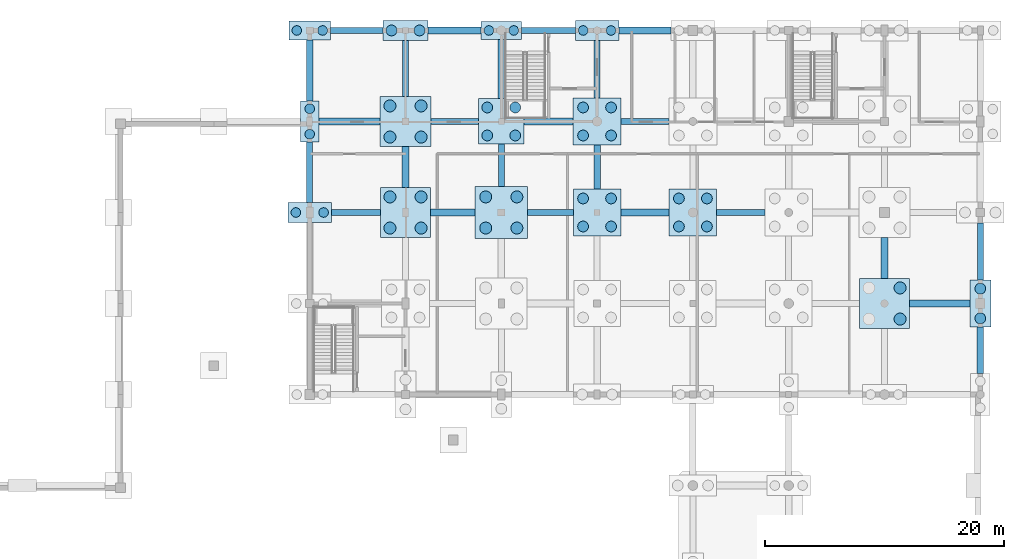
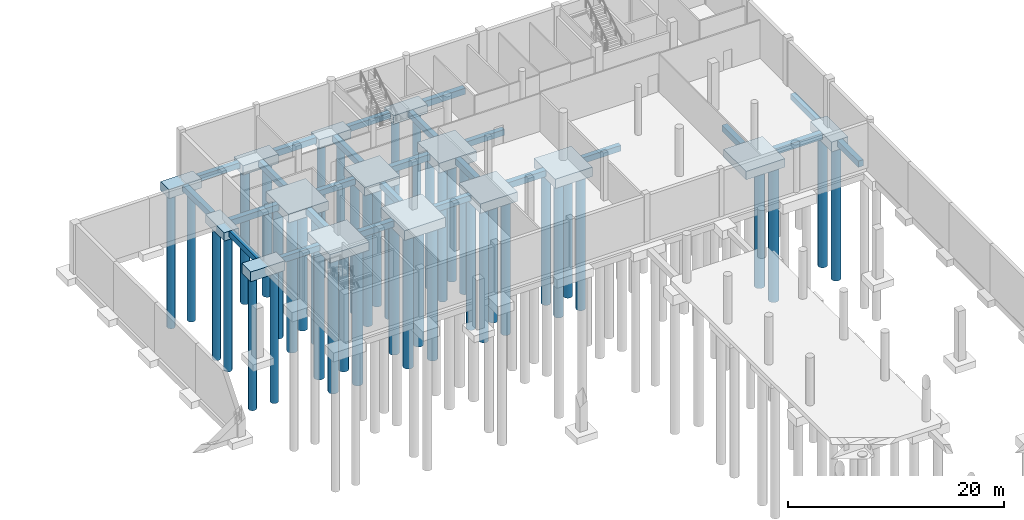
# One storey, part 16 of 44: 44 piles, 40 footings.
"""IFC4 building model written with IfcOpenShell, lengths in metres."""

from ifc_helpers import new_model, si_unit, direction, frame, origin, origin_2d, place, context, subcontext, project, spatial, polyline, circle, outline, extrude, material, material_profile, profile_set, type_object, element, save


model = new_model("IFC4")

# Units and contexts
model_context = context("Model", 3, precision=1e-05, world=origin(), true_north=direction((0.0, 1.0)))
body_context = subcontext(model_context, "Body", "Model", "MODEL_VIEW")
ifc_project = project(units=[si_unit("LENGTHUNIT", "METRE"), si_unit("AREAUNIT", "SQUARE_METRE"), si_unit("VOLUMEUNIT", "CUBIC_METRE"), si_unit("PLANEANGLEUNIT", "RADIAN"), si_unit("MASSUNIT", "GRAM", prefix="KILO")], contexts=[model_context])

# Site, building, storey
site_placement = place(None, origin())
site = spatial("IfcSite", under=ifc_project, at=site_placement, CompositionType="ELEMENT")
building_placement = place(site_placement, origin())
building = spatial("IfcBuilding", under=site, at=building_placement, Name="Khelvaren Railside Concert Hall", CompositionType="ELEMENT")
storey_placement = place(building_placement, frame((0.0, 0.0, -5.39990234375)))
storey = spatial("IfcBuildingStorey", under=building, at=storey_placement, Name="B1", CompositionType="ELEMENT", Elevation=-5.39990234375)

# Piles
ifc_material = material(Name="Concrete C35/45", Category="concrete")
ifc_material_profile_1 = material_profile(ifc_material, circle(Radius=0.449951171875, at=origin_2d()), Name="BP D900")
ifc_profile_set_1 = profile_set([ifc_material_profile_1], Name="Concrete C35/45")
pile_type_1 = type_object("IfcPileType", Name="BP51", PredefinedType="BORED", material=ifc_profile_set_1)
for number, where, z_axis, x_axis, name in (
    (1, (134.830078125, 114.0, -1.4501953125), (0.0, 0.0, -1.0), (1.0, 0.0, 0.0), "Bored Pile BP51 PC-V5-158-1"),
    (2, (137.169921875, 114.0, -1.4501953125), (0.0, 0.0, -1.0), (1.0, 0.0, 0.0), "Bored Pile BP51 PC-V5-158-2"),
):
    element("IfcPile", number, at=place(storey_placement, frame(where, z_axis=z_axis, x_axis=x_axis)), inside=storey, type_object=pile_type_1, Name=name, PredefinedType="BORED", context=body_context, shape_type="SweptSolid", body=[
        extrude(circle(Radius=0.449951171875, at=origin_2d()), origin(), (0.0, 0.0, 1.0), 15.14990234375),
    ])
for number, where, z_axis, x_axis, name in (
    (3, (142.830078125, 105.22998046875, -1.35009765625), (0.0, 0.0, -1.0), (1.0, 0.0, 0.0), "Bored Pile BP51 PC-V5-168-1"),
    (4, (145.169921875, 105.22998046875, -1.35009765625), (0.0, 0.0, -1.0), (1.0, 0.0, 0.0), "Bored Pile BP51 PC-V5-168-2"),
    (5, (142.830078125, 107.570068359375, -1.35009765625), (0.0, 0.0, -1.0), (1.0, 0.0, 0.0), "Bored Pile BP51 PC-V5-168-3"),
    (6, (145.169921875, 107.570068359375, -1.35009765625), (0.0, 0.0, -1.0), (1.0, 0.0, 0.0), "Bored Pile BP51 PC-V5-168-4"),
):
    element("IfcPile", number, at=place(storey_placement, frame(where, z_axis=z_axis, x_axis=x_axis)), inside=storey, type_object=pile_type_1, Name=name, PredefinedType="BORED", context=body_context, shape_type="SweptSolid", body=[
        extrude(circle(Radius=0.449951171875, at=origin_2d()), origin(), (0.0, 0.0, 1.0), 15.25),
    ])
for number, where, z_axis, x_axis, name in (
    (7, (150.830078125, 97.6298828125, -1.4501953125), (0.0, 0.0, -1.0), (1.0, 0.0, 0.0), "Bored Pile BP51 PC-V5-178-1"),
    (8, (153.169921875, 97.6298828125, -1.4501953125), (0.0, 0.0, -1.0), (1.0, 0.0, 0.0), "Bored Pile BP51 PC-V5-178-2"),
    (9, (150.830078125, 99.969970703125, -1.4501953125), (0.0, 0.0, -1.0), (1.0, 0.0, 0.0), "Bored Pile BP51 PC-V5-178-3"),
    (10, (153.169921875, 99.969970703125, -1.4501953125), (0.0, 0.0, -1.0), (1.0, 0.0, 0.0), "Bored Pile BP51 PC-V5-178-4"),
):
    element("IfcPile", number, at=place(storey_placement, frame(where, z_axis=z_axis, x_axis=x_axis)), inside=storey, type_object=pile_type_1, Name=name, PredefinedType="BORED", context=body_context, shape_type="SweptSolid", body=[
        extrude(circle(Radius=0.449951171875, at=origin_2d()), origin(), (0.0, 0.0, 1.0), 15.14990234375),
    ])
for number, where, z_axis, x_axis, name in (
    (11, (150.830078125, 105.22998046875, -1.5), (0.0, 0.0, -1.0), (1.0, 0.0, 0.0), "Bored Pile BP51 PC-V5-179-1"),
    (12, (153.169921875, 105.22998046875, -1.5), (0.0, 0.0, -1.0), (1.0, 0.0, 0.0), "Bored Pile BP51 PC-V5-179-2"),
    (13, (150.830078125, 107.570068359375, -1.5), (0.0, 0.0, -1.0), (1.0, 0.0, 0.0), "Bored Pile BP51 PC-V5-179-3"),
    (14, (153.169921875, 107.570068359375, -1.5), (0.0, 0.0, -1.0), (1.0, 0.0, 0.0), "Bored Pile BP51 PC-V5-179-4"),
):
    element("IfcPile", number, at=place(storey_placement, frame(where, z_axis=z_axis, x_axis=x_axis)), inside=storey, type_object=pile_type_1, Name=name, PredefinedType="BORED", context=body_context, shape_type="SweptSolid", body=[
        extrude(circle(Radius=0.449951171875, at=origin_2d()), origin(), (0.0, 0.0, 1.0), 15.10009765625),
    ])
for number, where, z_axis, x_axis, name in (
    (15, (158.830078125, 97.6298828125, -1.4501953125), (0.0, 0.0, -1.0), (1.0, 0.0, 0.0), "Bored Pile BP51 PC-V5-194-1"),
    (16, (161.169921875, 97.6298828125, -1.4501953125), (0.0, 0.0, -1.0), (1.0, 0.0, 0.0), "Bored Pile BP51 PC-V5-194-2"),
    (17, (158.830078125, 99.969970703125, -1.4501953125), (0.0, 0.0, -1.0), (1.0, 0.0, 0.0), "Bored Pile BP51 PC-V5-194-3"),
    (18, (161.169921875, 99.969970703125, -1.4501953125), (0.0, 0.0, -1.0), (1.0, 0.0, 0.0), "Bored Pile BP51 PC-V5-194-4"),
):
    element("IfcPile", number, at=place(storey_placement, frame(where, z_axis=z_axis, x_axis=x_axis)), inside=storey, type_object=pile_type_1, Name=name, PredefinedType="BORED", context=body_context, shape_type="SweptSolid", body=[
        extrude(circle(Radius=0.449951171875, at=origin_2d()), origin(), (0.0, 0.0, 1.0), 15.14990234375),
    ])
for number, where, z_axis, x_axis, name in (
    (19, (184.0, 89.9599609375, -1.5), (0.0, 0.0, -1.0), (1.0, 0.0, 0.0), "Bored Pile BP51 PC-V5-231-1"),
    (20, (184.0, 92.43994140625, -1.5), (0.0, 0.0, -1.0), (1.0, 0.0, 0.0), "Bored Pile BP51 PC-V5-231-2"),
):
    element("IfcPile", number, at=place(storey_placement, frame(where, z_axis=z_axis, x_axis=x_axis)), inside=storey, type_object=pile_type_1, Name=name, PredefinedType="BORED", context=body_context, shape_type="SweptSolid", body=[
        extrude(circle(Radius=0.449951171875, at=origin_2d()), origin(), (0.0, 0.0, 1.0), 15.10009765625),
    ])
ifc_material_profile_2 = material_profile(ifc_material, circle(Radius=0.39990234375, at=origin_2d()), Name="BP D800")
ifc_profile_set_2 = profile_set([ifc_material_profile_2], Name="Concrete C35/45")
pile_type_2 = type_object("IfcPileType", Name="BP84", PredefinedType="BORED", material=ifc_profile_set_2)
for number, where, z_axis, x_axis, name in (
    (21, (126.840087890625, 98.800048828125, -1.5), (0.0, 0.0, -1.0), (1.0, 0.0, 0.0), "Bored Pile BP84 PC-V5-147-1"),
    (22, (129.159912109375, 98.800048828125, -1.5), (0.0, 0.0, -1.0), (1.0, 0.0, 0.0), "Bored Pile BP84 PC-V5-147-2"),
):
    element("IfcPile", number, at=place(storey_placement, frame(where, z_axis=z_axis, x_axis=x_axis)), inside=storey, type_object=pile_type_2, Name=name, PredefinedType="BORED", context=body_context, shape_type="SweptSolid", body=[
        extrude(circle(Radius=0.39990234375, at=origin_2d()), origin(), (0.0, 0.0, 1.0), 15.10009765625),
    ])
for number, where, z_axis, x_axis, name in (
    (23, (128.0, 105.340087890625, -1.35009765625), (0.0, 0.0, -1.0), (1.0, 0.0, 0.0), "Bored Pile BP84 PC-V5-148-1"),
    (24, (128.0, 107.4599609375, -1.35009765625), (0.0, 0.0, -1.0), (1.0, 0.0, 0.0), "Bored Pile BP84 PC-V5-148-2"),
):
    element("IfcPile", number, at=place(storey_placement, frame(where, z_axis=z_axis, x_axis=x_axis)), inside=storey, type_object=pile_type_2, Name=name, PredefinedType="BORED", context=body_context, shape_type="SweptSolid", body=[
        extrude(circle(Radius=0.39990234375, at=origin_2d()), origin(), (0.0, 0.0, 1.0), 15.25),
    ])
for number, where, z_axis, x_axis, name in (
    (25, (126.919921875, 114.0, -1.400146484375), (0.0, 0.0, -1.0), (1.0, 0.0, 0.0), "Bored Pile BP84 PC-V5-149-1"),
    (26, (129.080078125, 114.0, -1.400146484375), (0.0, 0.0, -1.0), (1.0, 0.0, 0.0), "Bored Pile BP84 PC-V5-149-2"),
    (27, (142.9599609375, 114.0, -1.400146484375), (0.0, 0.0, -1.0), (1.0, 0.0, 0.0), "Bored Pile BP84 PC-V5-169-1"),
    (28, (145.0400390625, 114.0, -1.400146484375), (0.0, 0.0, -1.0), (1.0, 0.0, 0.0), "Bored Pile BP84 PC-V5-169-2"),
):
    element("IfcPile", number, at=place(storey_placement, frame(where, z_axis=z_axis, x_axis=x_axis)), inside=storey, type_object=pile_type_2, Name=name, PredefinedType="BORED", context=body_context, shape_type="SweptSolid", body=[
        extrude(circle(Radius=0.39990234375, at=origin_2d()), origin(), (0.0, 0.0, 1.0), 15.199951171875),
    ])
for number, where, z_axis, x_axis, name in (
    (29, (150.840087890625, 114.0, -1.35009765625), (0.0, 0.0, -1.0), (1.0, 0.0, 0.0), "Bored Pile BP84 PC-V5-180-1"),
    (30, (153.159912109375, 114.0, -1.35009765625), (0.0, 0.0, -1.0), (1.0, 0.0, 0.0), "Bored Pile BP84 PC-V5-180-2"),
):
    element("IfcPile", number, at=place(storey_placement, frame(where, z_axis=z_axis, x_axis=x_axis)), inside=storey, type_object=pile_type_2, Name=name, PredefinedType="BORED", context=body_context, shape_type="SweptSolid", body=[
        extrude(circle(Radius=0.39990234375, at=origin_2d()), origin(), (0.0, 0.0, 1.0), 15.25),
    ])
ifc_material_profile_3 = material_profile(ifc_material, circle(Radius=0.5, at=origin_2d()), Name="BP D1000")
ifc_profile_set_3 = profile_set([ifc_material_profile_3], Name="Concrete C35/45")
pile_type_3 = type_object("IfcPileType", Name="BP88", PredefinedType="BORED", material=ifc_profile_set_3)
for number, where, z_axis, x_axis, name in (
    (31, (134.699951171875, 97.5, -1.35009765625), (0.0, 0.0, -1.0), (1.0, 0.0, 0.0), "Bored Pile BP88 PC-V5-156-1"),
    (32, (137.300048828125, 97.5, -1.35009765625), (0.0, 0.0, -1.0), (1.0, 0.0, 0.0), "Bored Pile BP88 PC-V5-156-2"),
    (33, (134.699951171875, 100.10009765625, -1.35009765625), (0.0, 0.0, -1.0), (1.0, 0.0, 0.0), "Bored Pile BP88 PC-V5-156-3"),
    (34, (137.300048828125, 100.10009765625, -1.35009765625), (0.0, 0.0, -1.0), (1.0, 0.0, 0.0), "Bored Pile BP88 PC-V5-156-4"),
):
    element("IfcPile", number, at=place(storey_placement, frame(where, z_axis=z_axis, x_axis=x_axis)), inside=storey, type_object=pile_type_3, Name=name, PredefinedType="BORED", context=body_context, shape_type="SweptSolid", body=[
        extrude(circle(Radius=0.5, at=origin_2d()), origin(), (0.0, 0.0, 1.0), 15.25),
    ])
for number, where, z_axis, x_axis, name in (
    (35, (134.699951171875, 105.10009765625, -1.400146484375), (0.0, 0.0, -1.0), (1.0, 0.0, 0.0), "Bored Pile BP88 PC-V5-157-1"),
    (36, (137.300048828125, 105.10009765625, -1.400146484375), (0.0, 0.0, -1.0), (1.0, 0.0, 0.0), "Bored Pile BP88 PC-V5-157-2"),
    (37, (134.699951171875, 107.699951171875, -1.400146484375), (0.0, 0.0, -1.0), (1.0, 0.0, 0.0), "Bored Pile BP88 PC-V5-157-3"),
    (38, (137.300048828125, 107.699951171875, -1.400146484375), (0.0, 0.0, -1.0), (1.0, 0.0, 0.0), "Bored Pile BP88 PC-V5-157-4"),
):
    element("IfcPile", number, at=place(storey_placement, frame(where, z_axis=z_axis, x_axis=x_axis)), inside=storey, type_object=pile_type_3, Name=name, PredefinedType="BORED", context=body_context, shape_type="SweptSolid", body=[
        extrude(circle(Radius=0.5, at=origin_2d()), origin(), (0.0, 0.0, 1.0), 15.199951171875),
    ])
for number, where, z_axis, x_axis, name in (
    (39, (142.699951171875, 97.5, -1.5), (0.0, 0.0, -1.0), (1.0, 0.0, 0.0), "Bored Pile BP88 PC-V5-167-1"),
    (40, (145.300048828125, 97.5, -1.5), (0.0, 0.0, -1.0), (1.0, 0.0, 0.0), "Bored Pile BP88 PC-V5-167-2"),
    (41, (142.699951171875, 100.10009765625, -1.5), (0.0, 0.0, -1.0), (1.0, 0.0, 0.0), "Bored Pile BP88 PC-V5-167-3"),
    (42, (145.300048828125, 100.10009765625, -1.5), (0.0, 0.0, -1.0), (1.0, 0.0, 0.0), "Bored Pile BP88 PC-V5-167-4"),
):
    element("IfcPile", number, at=place(storey_placement, frame(where, z_axis=z_axis, x_axis=x_axis)), inside=storey, type_object=pile_type_3, Name=name, PredefinedType="BORED", context=body_context, shape_type="SweptSolid", body=[
        extrude(circle(Radius=0.5, at=origin_2d()), origin(), (0.0, 0.0, 1.0), 15.10009765625),
    ])
for number, where, z_axis, x_axis, name in (
    (43, (177.300048828125, 89.89990234375, -1.35009765625), (0.0, 0.0, -1.0), (1.0, 0.0, 0.0), "Bored Pile BP88 PC-V5-220-2"),
    (44, (177.300048828125, 92.5, -1.35009765625), (0.0, 0.0, -1.0), (1.0, 0.0, 0.0), "Bored Pile BP88 PC-V5-220-4"),
):
    element("IfcPile", number, at=place(storey_placement, frame(where, z_axis=z_axis, x_axis=x_axis)), inside=storey, type_object=pile_type_3, Name=name, PredefinedType="BORED", context=body_context, shape_type="SweptSolid", body=[
        extrude(circle(Radius=0.5, at=origin_2d()), origin(), (0.0, 0.0, 1.0), 15.25),
    ])

# Footings
footing_type_1 = type_object("IfcFootingType", Name="GB49", PredefinedType="FOOTING_BEAM", material=ifc_material)
footing_1_placement = place(storey_placement, frame((0.0, 0.0, -1.150146484375)))
element("IfcFooting", 45, at=footing_1_placement, inside=storey, type_object=footing_type_1, Name="Ground Tie Beam GB49 175", PredefinedType="FOOTING_BEAM", context=body_context, shape_type="SweptSolid", body=[
    extrude(outline(polyline([(129.820068359375, 98.550048828125), (133.919921875, 98.550048828125), (133.919921875, 99.050048828125), (129.820068359375, 99.050048828125), (129.820068359375, 98.550048828125)])), origin(), (0.0, 0.0, 1.0), 0.650146484375),
])
footing_2_placement = place(storey_placement, frame((0.0, 0.0, -1.150146484375)))
element("IfcFooting", 46, at=footing_2_placement, inside=storey, type_object=footing_type_1, Name="Ground Tie Beam GB49 177", PredefinedType="FOOTING_BEAM", context=body_context, shape_type="SweptSolid", body=[
    extrude(outline(polyline([(146.199951171875, 98.550048828125), (150.02001953125, 98.550048828125), (150.02001953125, 99.050048828125), (146.199951171875, 99.050048828125), (146.199951171875, 98.550048828125)])), origin(), (0.0, 0.0, 1.0), 0.650146484375),
])
footing_3_placement = place(storey_placement, frame((0.0, 0.0, -1.150146484375)))
element("IfcFooting", 47, at=footing_3_placement, inside=storey, type_object=footing_type_1, Name="Ground Tie Beam GB49 179", PredefinedType="FOOTING_BEAM", context=body_context, shape_type="SweptSolid", body=[
    extrude(outline(polyline([(161.97998046875, 98.550048828125), (166.02001953125, 98.550048828125), (166.02001953125, 99.050048828125), (161.97998046875, 99.050048828125), (161.97998046875, 98.550048828125)])), origin(), (0.0, 0.0, 1.0), 0.650146484375),
])
footing_4_placement = place(storey_placement, frame((0.0, 0.0, -1.150146484375)))
element("IfcFooting", 48, at=footing_4_placement, inside=storey, type_object=footing_type_1, Name="Ground Tie Beam GB49 189", PredefinedType="FOOTING_BEAM", context=body_context, shape_type="SweptSolid", body=[
    extrude(outline(polyline([(138.1201171875, 106.14990234375), (142.10009765625, 106.14990234375), (142.10009765625, 106.64990234375), (138.1201171875, 106.64990234375), (138.1201171875, 106.14990234375)])), origin(), (0.0, 0.0, 1.0), 0.650146484375),
])
footing_5_placement = place(storey_placement, frame((0.0, 0.0, -1.150146484375)))
element("IfcFooting", 49, at=footing_5_placement, inside=storey, type_object=footing_type_1, Name="Ground Tie Beam GB49 191", PredefinedType="FOOTING_BEAM", context=body_context, shape_type="SweptSolid", body=[
    extrude(outline(polyline([(154.0, 106.14990234375), (158.0, 106.14990234375), (158.0, 106.64990234375), (154.0, 106.64990234375), (154.0, 106.14990234375)])), origin(), (0.0, 0.0, 1.0), 0.650146484375),
])
footing_6_placement = place(storey_placement, frame((0.0, 0.0, -1.150146484375)))
element("IfcFooting", 50, at=footing_6_placement, inside=storey, type_object=footing_type_1, Name="Ground Tie Beam GB49 201", PredefinedType="FOOTING_BEAM", context=body_context, shape_type="SweptSolid", body=[
    extrude(outline(polyline([(129.739990234375, 113.75), (134.1201171875, 113.75), (134.1201171875, 114.25), (129.739990234375, 114.25), (129.739990234375, 113.75)])), origin(), (0.0, 0.0, 1.0), 0.650146484375),
])
footing_7_placement = place(storey_placement, frame((0.0, 0.0, -1.150146484375)))
element("IfcFooting", 51, at=footing_7_placement, inside=storey, type_object=footing_type_1, Name="Ground Tie Beam GB49 203", PredefinedType="FOOTING_BEAM", context=body_context, shape_type="SweptSolid", body=[
    extrude(outline(polyline([(145.699951171875, 113.75), (150.179931640625, 113.75), (150.179931640625, 114.25), (145.699951171875, 114.25), (145.699951171875, 113.75)])), origin(), (0.0, 0.0, 1.0), 0.650146484375),
])
footing_8_placement = place(storey_placement, frame((0.0, 0.0, -1.150146484375)))
element("IfcFooting", 52, at=footing_8_placement, inside=storey, type_object=footing_type_1, Name="Ground Tie Beam GB49 333", PredefinedType="FOOTING_BEAM", context=body_context, shape_type="SweptSolid", body=[
    extrude(outline(polyline([(127.75, 99.625), (128.25, 99.625), (128.25, 104.679931640625), (127.75, 104.679931640625), (127.75, 99.625)])), origin(), (0.0, 0.0, 1.0), 0.650146484375),
])
footing_9_placement = place(storey_placement, frame((0.0, 0.0, -1.150146484375)))
element("IfcFooting", 53, at=footing_9_placement, inside=storey, type_object=footing_type_1, Name="Ground Tie Beam GB49 341", PredefinedType="FOOTING_BEAM", context=body_context, shape_type="SweptSolid", body=[
    extrude(outline(polyline([(135.75, 108.5), (136.25, 108.5), (136.25, 113.14990234375), (135.75, 113.14990234375), (135.75, 108.5)])), origin(), (0.0, 0.0, 1.0), 0.650146484375),
])
footing_10_placement = place(storey_placement, frame((0.0, 0.0, -1.150146484375)))
element("IfcFooting", 54, at=footing_10_placement, inside=storey, type_object=footing_type_1, Name="Ground Tie Beam GB49 349", PredefinedType="FOOTING_BEAM", context=body_context, shape_type="SweptSolid", body=[
    extrude(outline(polyline([(143.75, 100.97998046875), (144.25, 100.97998046875), (144.25, 104.5), (143.75, 104.5), (143.75, 100.97998046875)])), origin(), (0.0, 0.0, 1.0), 0.650146484375),
])
footing_11_placement = place(storey_placement, frame((0.0, 0.0, -1.150146484375)))
element("IfcFooting", 55, at=footing_11_placement, inside=storey, type_object=footing_type_1, Name="Ground Tie Beam GB49 359", PredefinedType="FOOTING_BEAM", context=body_context, shape_type="SweptSolid", body=[
    extrude(outline(polyline([(151.75, 108.3798828125), (152.25, 108.3798828125), (152.25, 113.175048828125), (151.75, 113.175048828125), (151.75, 108.3798828125)])), origin(), (0.0, 0.0, 1.0), 0.650146484375),
])
footing_12_placement = place(storey_placement, frame((0.0, 0.0, -1.150146484375)))
element("IfcFooting", 56, at=footing_12_placement, inside=storey, type_object=footing_type_1, Name="Ground Tie Beam GB49 405", PredefinedType="FOOTING_BEAM", context=body_context, shape_type="SweptSolid", body=[
    extrude(outline(polyline([(183.75, 93.14990234375), (184.25, 93.14990234375), (184.25, 97.925048828125), (183.75, 97.925048828125), (183.75, 93.14990234375)])), origin(), (0.0, 0.0, 1.0), 0.650146484375),
])
footing_type_2 = type_object("IfcFootingType", Name="GB57", PredefinedType="FOOTING_BEAM", material=ifc_material)
footing_13_placement = place(storey_placement, frame((0.0, 0.0, -1.2001953125)))
element("IfcFooting", 57, at=footing_13_placement, inside=storey, type_object=footing_type_2, Name="Ground Tie Beam GB57 168", PredefinedType="FOOTING_BEAM", context=body_context, shape_type="SweptSolid", body=[
    extrude(outline(polyline([(178.080078125, 90.925048828125), (183.125, 90.925048828125), (183.125, 91.47509765625), (178.080078125, 91.47509765625), (178.080078125, 90.925048828125)])), origin(), (0.0, 0.0, 1.0), 0.7001953125),
])
footing_14_placement = place(storey_placement, frame((0.0, 0.0, -1.2001953125)))
element("IfcFooting", 58, at=footing_14_placement, inside=storey, type_object=footing_type_2, Name="Ground Tie Beam GB57 176", PredefinedType="FOOTING_BEAM", context=body_context, shape_type="SweptSolid", body=[
    extrude(outline(polyline([(138.080078125, 98.52490234375), (141.800048828125, 98.52490234375), (141.800048828125, 99.074951171875), (138.080078125, 99.074951171875), (138.080078125, 98.52490234375)])), origin(), (0.0, 0.0, 1.0), 0.7001953125),
])
footing_15_placement = place(storey_placement, frame((0.0, 0.0, -1.2001953125)))
element("IfcFooting", 59, at=footing_15_placement, inside=storey, type_object=footing_type_2, Name="Ground Tie Beam GB57 178", PredefinedType="FOOTING_BEAM", context=body_context, shape_type="SweptSolid", body=[
    extrude(outline(polyline([(153.97998046875, 98.52490234375), (158.02001953125, 98.52490234375), (158.02001953125, 99.074951171875), (153.97998046875, 99.074951171875), (153.97998046875, 98.52490234375)])), origin(), (0.0, 0.0, 1.0), 0.7001953125),
])
footing_16_placement = place(storey_placement, frame((0.0, 0.0, -1.2001953125)))
element("IfcFooting", 60, at=footing_16_placement, inside=storey, type_object=footing_type_2, Name="Ground Tie Beam GB57 188", PredefinedType="FOOTING_BEAM", context=body_context, shape_type="SweptSolid", body=[
    extrude(outline(polyline([(128.77490234375, 106.125), (133.8798828125, 106.125), (133.8798828125, 106.675048828125), (128.77490234375, 106.675048828125), (128.77490234375, 106.125)])), origin(), (0.0, 0.0, 1.0), 0.7001953125),
])
footing_17_placement = place(storey_placement, frame((0.0, 0.0, -1.2001953125)))
element("IfcFooting", 61, at=footing_17_placement, inside=storey, type_object=footing_type_2, Name="Ground Tie Beam GB57 190", PredefinedType="FOOTING_BEAM", context=body_context, shape_type="SweptSolid", body=[
    extrude(outline(polyline([(145.89990234375, 106.125), (150.0, 106.125), (150.0, 106.675048828125), (145.89990234375, 106.675048828125), (145.89990234375, 106.125)])), origin(), (0.0, 0.0, 1.0), 0.7001953125),
])
footing_18_placement = place(storey_placement, frame((0.0, 0.0, -1.2001953125)))
element("IfcFooting", 62, at=footing_18_placement, inside=storey, type_object=footing_type_2, Name="Ground Tie Beam GB57 202", PredefinedType="FOOTING_BEAM", context=body_context, shape_type="SweptSolid", body=[
    extrude(outline(polyline([(137.8798828125, 113.72509765625), (142.300048828125, 113.72509765625), (142.300048828125, 114.27490234375), (137.8798828125, 114.27490234375), (137.8798828125, 113.72509765625)])), origin(), (0.0, 0.0, 1.0), 0.7001953125),
])
footing_19_placement = place(storey_placement, frame((0.0, 0.0, -1.2001953125)))
element("IfcFooting", 63, at=footing_19_placement, inside=storey, type_object=footing_type_2, Name="Ground Tie Beam GB57 204", PredefinedType="FOOTING_BEAM", context=body_context, shape_type="SweptSolid", body=[
    extrude(outline(polyline([(153.820068359375, 113.72509765625), (158.179931640625, 113.72509765625), (158.179931640625, 114.27490234375), (153.820068359375, 114.27490234375), (153.820068359375, 113.72509765625)])), origin(), (0.0, 0.0, 1.0), 0.7001953125),
])
footing_20_placement = place(storey_placement, frame((0.0, 0.0, -1.2001953125)))
element("IfcFooting", 64, at=footing_20_placement, inside=storey, type_object=footing_type_2, Name="Ground Tie Beam GB57 334", PredefinedType="FOOTING_BEAM", context=body_context, shape_type="SweptSolid", body=[
    extrude(outline(polyline([(127.72509765625, 108.1201171875), (128.27490234375, 108.1201171875), (128.27490234375, 113.22509765625), (127.72509765625, 113.22509765625), (127.72509765625, 108.1201171875)])), origin(), (0.0, 0.0, 1.0), 0.7001953125),
])
footing_21_placement = place(storey_placement, frame((0.0, 0.0, -1.2001953125)))
element("IfcFooting", 65, at=footing_21_placement, inside=storey, type_object=footing_type_2, Name="Ground Tie Beam GB57 340", PredefinedType="FOOTING_BEAM", context=body_context, shape_type="SweptSolid", body=[
    extrude(outline(polyline([(135.72509765625, 100.8798828125), (136.27490234375, 100.8798828125), (136.27490234375, 104.300048828125), (135.72509765625, 104.300048828125), (135.72509765625, 100.8798828125)])), origin(), (0.0, 0.0, 1.0), 0.7001953125),
])
footing_22_placement = place(storey_placement, frame((0.0, 0.0, -1.2001953125)))
element("IfcFooting", 66, at=footing_22_placement, inside=storey, type_object=footing_type_2, Name="Ground Tie Beam GB57 350", PredefinedType="FOOTING_BEAM", context=body_context, shape_type="SweptSolid", body=[
    extrude(outline(polyline([(143.72509765625, 108.300048828125), (144.27490234375, 108.300048828125), (144.27490234375, 113.25), (143.72509765625, 113.25), (143.72509765625, 108.300048828125)])), origin(), (0.0, 0.0, 1.0), 0.7001953125),
])
footing_23_placement = place(storey_placement, frame((0.0, 0.0, -1.2001953125)))
element("IfcFooting", 67, at=footing_23_placement, inside=storey, type_object=footing_type_2, Name="Ground Tie Beam GB57 358", PredefinedType="FOOTING_BEAM", context=body_context, shape_type="SweptSolid", body=[
    extrude(outline(polyline([(151.72509765625, 100.760009765625), (152.27490234375, 100.760009765625), (152.27490234375, 104.419921875), (151.72509765625, 104.419921875), (151.72509765625, 100.760009765625)])), origin(), (0.0, 0.0, 1.0), 0.7001953125),
])
footing_24_placement = place(storey_placement, frame((0.0, 0.0, -1.2001953125)))
element("IfcFooting", 68, at=footing_24_placement, inside=storey, type_object=footing_type_2, Name="Ground Tie Beam GB57 396", PredefinedType="FOOTING_BEAM", context=body_context, shape_type="SweptSolid", body=[
    extrude(outline(polyline([(175.72509765625, 93.280029296875), (176.27490234375, 93.280029296875), (176.27490234375, 96.699951171875), (175.72509765625, 96.699951171875), (175.72509765625, 93.280029296875)])), origin(), (0.0, 0.0, 1.0), 0.7001953125),
])
footing_25_placement = place(storey_placement, frame((0.0, 0.0, -1.2001953125)))
element("IfcFooting", 69, at=footing_25_placement, inside=storey, type_object=footing_type_2, Name="Ground Tie Beam GB57 404", PredefinedType="FOOTING_BEAM", context=body_context, shape_type="SweptSolid", body=[
    extrude(outline(polyline([(183.72509765625, 85.3701171875), (184.27490234375, 85.3701171875), (184.27490234375, 89.25), (183.72509765625, 89.25), (183.72509765625, 85.3701171875)])), origin(), (0.0, 0.0, 1.0), 0.7001953125),
])
footing_type_3 = type_object("IfcFootingType", Name="PC11", PredefinedType="PILE_CAP", material=ifc_material)
footing_26_placement = place(storey_placement, frame((0.0, 0.0, -1.5)))
element("IfcFooting", 70, at=footing_26_placement, inside=storey, type_object=footing_type_3, Name="Pile Cap PC11 (136.0,106.4)", PredefinedType="PILE_CAP", context=body_context, shape_type="SweptSolid", body=[
    extrude(outline(polyline([(133.8798828125, 104.300048828125), (138.1201171875, 104.300048828125), (138.1201171875, 108.5), (133.8798828125, 108.5), (133.8798828125, 104.300048828125)])), origin(), (0.0, 0.0, 1.0), 1.0),
])
footing_type_4 = type_object("IfcFootingType", Name="PC13", PredefinedType="PILE_CAP", material=ifc_material)
footing_27_placement = place(storey_placement, frame((0.0, 0.0, -1.550048828125)))
element("IfcFooting", 71, at=footing_27_placement, inside=storey, type_object=footing_type_4, Name="Pile Cap PC13 (152.0,98.8)", PredefinedType="PILE_CAP", context=body_context, shape_type="SweptSolid", body=[
    extrude(outline(polyline([(150.02001953125, 96.840087890625), (153.97998046875, 96.840087890625), (153.97998046875, 100.760009765625), (150.02001953125, 100.760009765625), (150.02001953125, 96.840087890625)])), origin(), (0.0, 0.0, 1.0), 1.050048828125),
])
footing_28_placement = place(storey_placement, frame((0.0, 0.0, -1.550048828125)))
element("IfcFooting", 72, at=footing_28_placement, inside=storey, type_object=footing_type_4, Name="Pile Cap PC13 (160.0,98.8)", PredefinedType="PILE_CAP", context=body_context, shape_type="SweptSolid", body=[
    extrude(outline(polyline([(158.02001953125, 96.840087890625), (161.97998046875, 96.840087890625), (161.97998046875, 100.760009765625), (158.02001953125, 100.760009765625), (158.02001953125, 96.840087890625)])), origin(), (0.0, 0.0, 1.0), 1.050048828125),
])
footing_type_5 = type_object("IfcFootingType", Name="PC31", PredefinedType="PILE_CAP", material=ifc_material)
footing_29_placement = place(storey_placement, frame((0.0, 0.0, -1.4501953125)))
element("IfcFooting", 73, at=footing_29_placement, inside=storey, type_object=footing_type_5, Name="Pile Cap PC31 (144.0,106.4)", PredefinedType="PILE_CAP", context=body_context, shape_type="SweptSolid", body=[
    extrude(outline(polyline([(142.10009765625, 104.5), (145.89990234375, 104.5), (145.89990234375, 108.300048828125), (142.10009765625, 108.300048828125), (142.10009765625, 104.5)])), origin(), (0.0, 0.0, 1.0), 0.9501953125),
])
footing_type_6 = type_object("IfcFootingType", Name="PC33", PredefinedType="PILE_CAP", material=ifc_material)
footing_30_placement = place(storey_placement, frame((0.0, 0.0, -1.60009765625)))
element("IfcFooting", 74, at=footing_30_placement, inside=storey, type_object=footing_type_6, Name="Pile Cap PC33 (128.0,98.8)", PredefinedType="PILE_CAP", context=body_context, shape_type="SweptSolid", body=[
    extrude(outline(polyline([(126.179931640625, 97.97509765625), (129.820068359375, 97.97509765625), (129.820068359375, 99.625), (126.179931640625, 99.625), (126.179931640625, 97.97509765625)])), origin(), (0.0, 0.0, 1.0), 1.10009765625),
])
footing_type_7 = type_object("IfcFootingType", Name="PC39", PredefinedType="PILE_CAP", material=ifc_material)
footing_31_placement = place(storey_placement, frame((0.0, 0.0, -1.5)))
element("IfcFooting", 75, at=footing_31_placement, inside=storey, type_object=footing_type_7, Name="Pile Cap PC39 (144.0,114.0)", PredefinedType="PILE_CAP", context=body_context, shape_type="SweptSolid", body=[
    extrude(outline(polyline([(142.300048828125, 113.25), (145.699951171875, 113.25), (145.699951171875, 114.75), (142.300048828125, 114.75), (142.300048828125, 113.25)])), origin(), (0.0, 0.0, 1.0), 1.0),
])
footing_type_8 = type_object("IfcFootingType", Name="PC51", PredefinedType="PILE_CAP", material=ifc_material)
footing_32_placement = place(storey_placement, frame((0.0, 0.0, -1.60009765625)))
element("IfcFooting", 76, at=footing_32_placement, inside=storey, type_object=footing_type_8, Name="Pile Cap PC51 (152.0,106.4)", PredefinedType="PILE_CAP", context=body_context, shape_type="SweptSolid", body=[
    extrude(outline(polyline([(150.0, 104.419921875), (154.0, 104.419921875), (154.0, 108.3798828125), (150.0, 108.3798828125), (150.0, 104.419921875)])), origin(), (0.0, 0.0, 1.0), 1.10009765625),
])
footing_type_9 = type_object("IfcFootingType", Name="PC52", PredefinedType="PILE_CAP", material=ifc_material)
footing_33_placement = place(storey_placement, frame((0.0, 0.0, -1.4501953125)))
element("IfcFooting", 77, at=footing_33_placement, inside=storey, type_object=footing_type_9, Name="Pile Cap PC52 (136.0,98.8)", PredefinedType="PILE_CAP", context=body_context, shape_type="SweptSolid", body=[
    extrude(outline(polyline([(133.919921875, 96.719970703125), (138.080078125, 96.719970703125), (138.080078125, 100.8798828125), (133.919921875, 100.8798828125), (133.919921875, 96.719970703125)])), origin(), (0.0, 0.0, 1.0), 0.9501953125),
])
footing_34_placement = place(storey_placement, frame((0.0, 0.0, -1.4501953125)))
element("IfcFooting", 78, at=footing_34_placement, inside=storey, type_object=footing_type_9, Name="Pile Cap PC52 (176.0,91.2)", PredefinedType="PILE_CAP", context=body_context, shape_type="SweptSolid", body=[
    extrude(outline(polyline([(173.919921875, 89.1201171875), (178.080078125, 89.1201171875), (178.080078125, 93.280029296875), (173.919921875, 93.280029296875), (173.919921875, 89.1201171875)])), origin(), (0.0, 0.0, 1.0), 0.9501953125),
])
footing_type_10 = type_object("IfcFootingType", Name="PC58", PredefinedType="PILE_CAP", material=ifc_material)
footing_35_placement = place(storey_placement, frame((0.0, 0.0, -1.550048828125)))
element("IfcFooting", 79, at=footing_35_placement, inside=storey, type_object=footing_type_10, Name="Pile Cap PC58 (136.0,114.0)", PredefinedType="PILE_CAP", context=body_context, shape_type="SweptSolid", body=[
    extrude(outline(polyline([(134.1201171875, 113.14990234375), (137.8798828125, 113.14990234375), (137.8798828125, 114.85009765625), (134.1201171875, 114.85009765625), (134.1201171875, 113.14990234375)])), origin(), (0.0, 0.0, 1.0), 1.050048828125),
])
footing_type_11 = type_object("IfcFootingType", Name="PC76", PredefinedType="PILE_CAP", material=ifc_material)
footing_36_placement = place(storey_placement, frame((0.0, 0.0, -1.60009765625)))
element("IfcFooting", 80, at=footing_36_placement, inside=storey, type_object=footing_type_11, Name="Pile Cap PC76 (184.0,91.2)", PredefinedType="PILE_CAP", context=body_context, shape_type="SweptSolid", body=[
    extrude(outline(polyline([(183.125, 89.25), (184.875, 89.25), (184.875, 93.14990234375), (183.125, 93.14990234375), (183.125, 89.25)])), origin(), (0.0, 0.0, 1.0), 1.10009765625),
])
footing_type_12 = type_object("IfcFootingType", Name="PC78", PredefinedType="PILE_CAP", material=ifc_material)
footing_37_placement = place(storey_placement, frame((0.0, 0.0, -1.4501953125)))
element("IfcFooting", 81, at=footing_37_placement, inside=storey, type_object=footing_type_12, Name="Pile Cap PC78 (152.0,114.0)", PredefinedType="PILE_CAP", context=body_context, shape_type="SweptSolid", body=[
    extrude(outline(polyline([(150.179931640625, 113.175048828125), (153.820068359375, 113.175048828125), (153.820068359375, 114.824951171875), (150.179931640625, 114.824951171875), (150.179931640625, 113.175048828125)])), origin(), (0.0, 0.0, 1.0), 0.9501953125),
])
footing_type_13 = type_object("IfcFootingType", Name="PC79", PredefinedType="PILE_CAP", material=ifc_material)
footing_38_placement = place(storey_placement, frame((0.0, 0.0, -1.60009765625)))
element("IfcFooting", 82, at=footing_38_placement, inside=storey, type_object=footing_type_13, Name="Pile Cap PC79 (144.0,98.8)", PredefinedType="PILE_CAP", context=body_context, shape_type="SweptSolid", body=[
    extrude(outline(polyline([(141.800048828125, 96.6201171875), (146.199951171875, 96.6201171875), (146.199951171875, 100.97998046875), (141.800048828125, 100.97998046875), (141.800048828125, 96.6201171875)])), origin(), (0.0, 0.0, 1.0), 1.10009765625),
])
footing_type_14 = type_object("IfcFootingType", Name="PC93", PredefinedType="PILE_CAP", material=ifc_material)
footing_39_placement = place(storey_placement, frame((0.0, 0.0, -1.5)))
element("IfcFooting", 83, at=footing_39_placement, inside=storey, type_object=footing_type_14, Name="Pile Cap PC93 (128.0,114.0)", PredefinedType="PILE_CAP", context=body_context, shape_type="SweptSolid", body=[
    extrude(outline(polyline([(126.260009765625, 113.22509765625), (129.739990234375, 113.22509765625), (129.739990234375, 114.77490234375), (126.260009765625, 114.77490234375), (126.260009765625, 113.22509765625)])), origin(), (0.0, 0.0, 1.0), 1.0),
])
footing_type_15 = type_object("IfcFootingType", Name="PC94", PredefinedType="PILE_CAP", material=ifc_material)
footing_40_placement = place(storey_placement, frame((0.0, 0.0, -1.4501953125)))
element("IfcFooting", 84, at=footing_40_placement, inside=storey, type_object=footing_type_15, Name="Pile Cap PC94 (128.0,106.4)", PredefinedType="PILE_CAP", context=body_context, shape_type="SweptSolid", body=[
    extrude(outline(polyline([(127.22509765625, 104.679931640625), (128.77490234375, 104.679931640625), (128.77490234375, 108.1201171875), (127.22509765625, 108.1201171875), (127.22509765625, 104.679931640625)])), origin(), (0.0, 0.0, 1.0), 0.9501953125),
])

save(model, "model.ifc")
